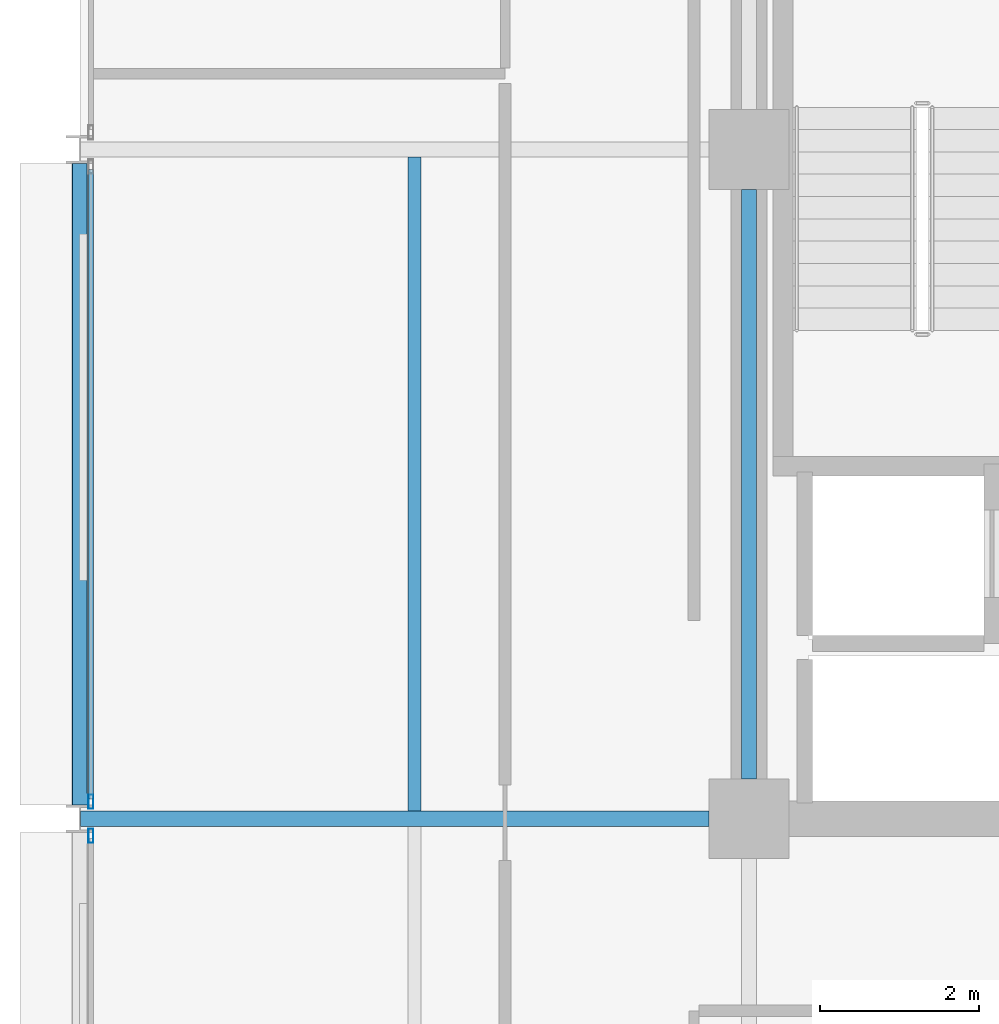
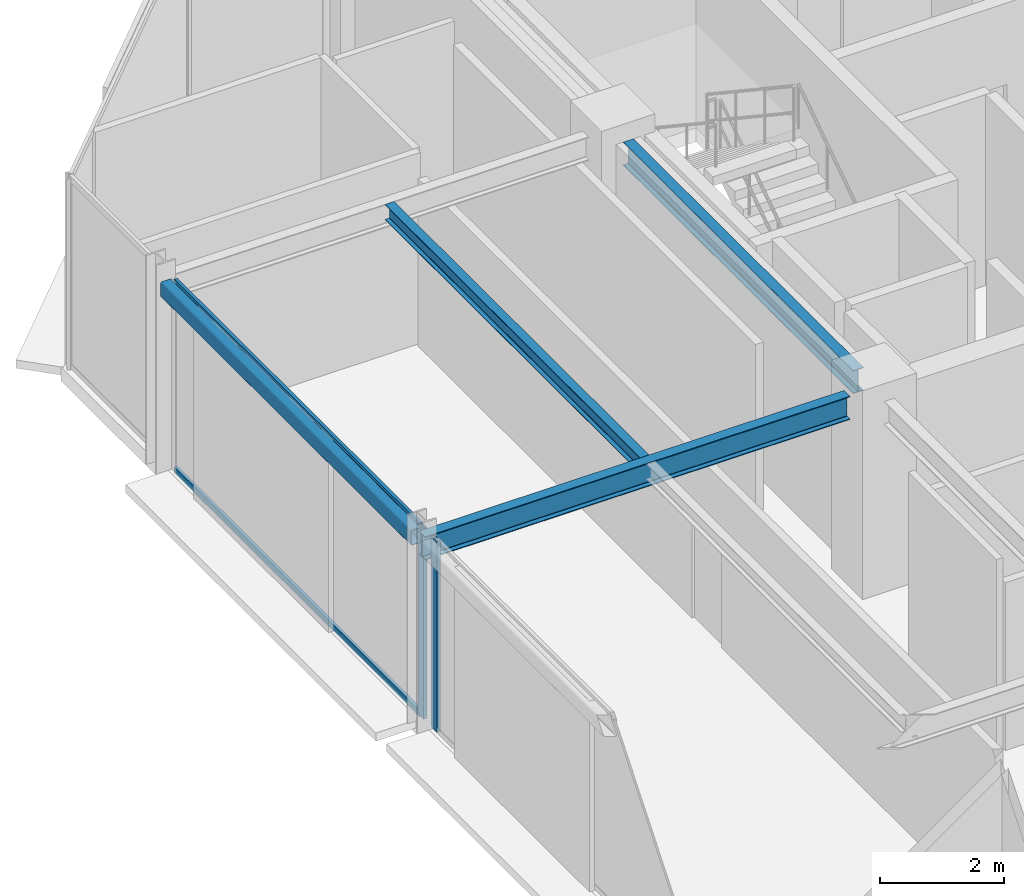
# One storey, part 10 of 26: 4 beams, 4 members, 2 elements without a shape of their own.
"""IFC4 building model written with IfcOpenShell, lengths in metres."""

from ifc_helpers import new_model, si_unit, direction, frame, origin, origin_2d, place, context, subcontext, project, spatial, hollow_rectangle, i_section, extrude, material, layer, layer_set, material_profile, profile_set, type_object, element, aggregate, save


model = new_model("IFC4")

# Units and contexts
model_context = context("Model", 3, precision=1e-05, world=origin(), true_north=direction((0.0, 1.0)))
body_context = subcontext(model_context, "Body", "Model", "MODEL_VIEW")
ifc_project = project(units=[si_unit("LENGTHUNIT", "METRE"), si_unit("AREAUNIT", "SQUARE_METRE"), si_unit("VOLUMEUNIT", "CUBIC_METRE"), si_unit("PLANEANGLEUNIT", "RADIAN"), si_unit("MASSUNIT", "GRAM", prefix="KILO")], contexts=[model_context])

# Site, building, storey
site_placement = place(None, origin())
site = spatial("IfcSite", under=ifc_project, at=site_placement, CompositionType="ELEMENT")
building_placement = place(site_placement, origin())
building = spatial("IfcBuilding", under=site, at=building_placement, Name="Nerrivon Quay Data Exchange", CompositionType="ELEMENT")
storey_placement = place(building_placement, frame((0.0, 0.0, 241.10009765625)))
storey = spatial("IfcBuildingStorey", under=building, at=storey_placement, Name="L57", CompositionType="ELEMENT", Elevation=241.10009765625)

# Beams
ifc_material_1 = material(Name="Steel Grade 350", Category="steel")
ifc_material_profile_1 = material_profile(ifc_material_1, i_section(OverallWidth=0.19091796875, OverallDepth=0.4599609375, WebThickness=0.010009765625, FlangeThickness=0.01611328125, FilletRadius=0.011474609375, at=origin_2d()), Name="460UB82.1")
ifc_profile_set_1 = profile_set([ifc_material_profile_1], Name="Steel Grade 350")
beam_type_1 = type_object("IfcBeamType", Name="BM-G5-460UB82", PredefinedType="BEAM", material=ifc_profile_set_1)
beam_1_placement = place(storey_placement, frame((0.010009765625, 25.199951171875, 3.52001953125), z_axis=(1.0, 0.0, 0.0), x_axis=(0.0, 1.0, 0.0)))
element("IfcBeam", 1, at=beam_1_placement, inside=storey, type_object=beam_type_1, Name="L57 EW Girder Y=25.2 (0.0..8.4)", PredefinedType="BEAM", context=body_context, shape_type="SweptSolid", body=[
    extrude(i_section(OverallWidth=0.19091796875, OverallDepth=0.4599609375, WebThickness=0.010009765625, FlangeThickness=0.01611328125, FilletRadius=0.011474609375, at=origin_2d()), origin(), (0.0, 0.0, 1.0), 7.889892578125),
])
ifc_material_profile_2 = material_profile(ifc_material_1, i_section(OverallWidth=0.18994140625, OverallDepth=0.4541015625, WebThickness=0.008544921875, FlangeThickness=0.0126953125, FilletRadius=0.011474609375, at=origin_2d()), Name="460UB67.1")
ifc_profile_set_2 = profile_set([ifc_material_profile_2], Name="Steel Grade 350")
beam_type_2 = type_object("IfcBeamType", Name="BM-G6-460UB67", PredefinedType="BEAM", material=ifc_profile_set_2)
beam_2_placement = place(storey_placement, frame((8.39990234375, 25.699951171875, 3.52294921875), z_axis=(0.0, 1.0, 0.0), x_axis=(-1.0, 0.0, 0.0)))
element("IfcBeam", 2, at=beam_2_placement, inside=storey, type_object=beam_type_2, Name="L57 NS Girder X=8.4 (25.2..33.6)", PredefinedType="BEAM", context=body_context, shape_type="SweptSolid", body=[
    extrude(i_section(OverallWidth=0.18994140625, OverallDepth=0.4541015625, WebThickness=0.008544921875, FlangeThickness=0.0126953125, FilletRadius=0.011474609375, at=origin_2d()), origin(), (0.0, 0.0, 1.0), 7.400146484375),
])
ifc_material_profile_3 = material_profile(ifc_material_1, i_section(OverallWidth=0.166015625, OverallDepth=0.306884765625, WebThickness=0.006591796875, FlangeThickness=0.01171875, FilletRadius=0.011474609375, at=origin_2d()), Name="310UB46.2")
ifc_profile_set_3 = profile_set([ifc_material_profile_3], Name="Steel Grade 350")
beam_type_3 = type_object("IfcBeamType", Name="BM-J5-310UB46", PredefinedType="JOIST", material=ifc_profile_set_3)
beam_3_placement = place(storey_placement, frame((4.199951171875, 25.29541015625, 3.596435546875), z_axis=(0.0, 1.0, 0.0), x_axis=(-1.0, 0.0, 0.0)))
element("IfcBeam", 3, at=beam_3_placement, inside=storey, type_object=beam_type_3, Name="L57 Secondary Joist X=4.2 (25.2..33.6)", PredefinedType="JOIST", context=body_context, shape_type="SweptSolid", body=[
    extrude(i_section(OverallWidth=0.166015625, OverallDepth=0.306884765625, WebThickness=0.006591796875, FlangeThickness=0.01171875, FilletRadius=0.011474609375, at=origin_2d()), origin(), (0.0, 0.0, 1.0), 8.208984375),
])
ifc_material_2 = material(Name="Steel Grade C350L0 (350 MPa)", Category="steel")
ifc_material_profile_4 = material_profile(ifc_material_2, hollow_rectangle(XDim=0.199951171875, YDim=0.300048828125, WallThickness=0.012451171875, InnerFilletRadius=0.018798828125, OuterFilletRadius=0.03125, at=origin_2d()), Name="300x200x12.5RHS")
ifc_profile_set_4 = profile_set([ifc_material_profile_4], Name="Steel Grade C350L0 (350 MPa)")
beam_type_4 = type_object("IfcBeamType", Name="BM-SP3-300x200RHS", PredefinedType="SPANDREL", material=ifc_profile_set_4)
beam_4_placement = place(storey_placement, frame((0.0, 25.375, 3.599853515625), z_axis=(0.0, 1.0, 0.0), x_axis=(-1.0, 0.0, 0.0)))
element("IfcBeam", 4, at=beam_4_placement, inside=storey, type_object=beam_type_4, Name="L57 NS Girder X=0.0 (25.2..33.6)", PredefinedType="SPANDREL", context=body_context, shape_type="SweptSolid", body=[
    extrude(hollow_rectangle(XDim=0.199951171875, YDim=0.300048828125, WallThickness=0.012451171875, InnerFilletRadius=0.018798828125, OuterFilletRadius=0.03125, at=origin_2d()), origin(), (0.0, 0.0, 1.0), 8.050048828125),
])

# Curtain wall, member
ifc_material_3 = material(Name="Anodised aluminium 6063-T6", Category="aluminium")
ifc_layer = layer(ifc_material_3, 0.195068359375)
ifc_layer_set = layer_set([ifc_layer], Name="Anodised aluminium 6063-T6")
curtain_wall_type = type_object("IfcCurtainWallType", Name="CW-SYS-06", PredefinedType="NOTDEFINED", material=ifc_layer_set)
curtain_wall_1_placement = place(storey_placement, origin())
curtain_wall_1 = element("IfcCurtainWall", 5, at=curtain_wall_1_placement, inside=storey, type_object=curtain_wall_type, Name="L57 Unitised Curtain Wall 13", PredefinedType="NOTDEFINED")
ifc_material_profile_5 = material_profile(ifc_material_3, hollow_rectangle(XDim=0.06494140625, YDim=0.179931640625, WallThickness=0.00341796875, at=origin_2d()), Name="ALU-MULL-180x65")
ifc_profile_set_5 = profile_set([ifc_material_profile_5], Name="Anodised aluminium 6063-T6")
member_type_1 = type_object("IfcMemberType", Name="CWM-180x65", PredefinedType="MULLION", material=ifc_profile_set_5)
member_1_placement = place(storey_placement, frame((0.139892578125, 24.987548828125, 0.0), z_axis=(0.0, 0.0, 1.0), x_axis=(-1.0, 0.0, 0.0)))
member_1 = element("IfcMember", 6, at=member_1_placement, type_object=member_type_1, Name="CW06 mullion 2", PredefinedType="MULLION", context=body_context, shape_type="SweptSolid", body=[
    extrude(hollow_rectangle(XDim=0.06494140625, YDim=0.179931640625, WallThickness=0.00341796875, at=origin_2d()), origin(), (0.0, 0.0, 1.0), 3.75),
])
aggregate(curtain_wall_1, [member_1])

# Curtain wall, members
curtain_wall_2_placement = place(storey_placement, origin())
curtain_wall_2 = element("IfcCurtainWall", 7, at=curtain_wall_2_placement, inside=storey, type_object=curtain_wall_type, Name="L57 Unitised Curtain Wall 14", PredefinedType="NOTDEFINED")
member_2_placement = place(storey_placement, frame((0.139892578125, 25.41259765625, 0.0), z_axis=(0.0, 0.0, 1.0), x_axis=(-1.0, 0.0, 0.0)))
member_2 = element("IfcMember", 8, at=member_2_placement, type_object=member_type_1, Name="CW06 mullion 1", PredefinedType="MULLION", context=body_context, shape_type="SweptSolid", body=[
    extrude(hollow_rectangle(XDim=0.06494140625, YDim=0.179931640625, WallThickness=0.00341796875, at=origin_2d()), origin(), (0.0, 0.0, 1.0), 3.75),
])
ifc_material_profile_6 = material_profile(ifc_material_3, hollow_rectangle(XDim=0.06005859375, YDim=0.1201171875, WallThickness=0.003173828125, at=origin_2d()), Name="ALU-TRAN-120x60")
ifc_profile_set_6 = profile_set([ifc_material_profile_6], Name="Anodised aluminium 6063-T6")
member_type_2 = type_object("IfcMemberType", Name="CWT-120x60", PredefinedType="USERDEFINED", material=ifc_profile_set_6)
member_3_placement = place(storey_placement, frame((0.139892578125, 25.449951171875, 0.032470703125), z_axis=(0.0, 1.0, 0.0), x_axis=(-1.0, 0.0, 0.0)))
member_3 = element("IfcMember", 9, at=member_3_placement, type_object=member_type_2, Name="CW06 transom 1.1", ObjectType="TRANSOM", PredefinedType="USERDEFINED", context=body_context, shape_type="SweptSolid", body=[
    extrude(hollow_rectangle(XDim=0.06005859375, YDim=0.1201171875, WallThickness=0.003173828125, at=origin_2d()), origin(), (0.0, 0.0, 1.0), 7.900146484375),
])
member_4_placement = place(storey_placement, frame((0.139892578125, 25.449951171875, 3.71728515625), z_axis=(0.0, 1.0, 0.0), x_axis=(-1.0, 0.0, 0.0)))
member_4 = element("IfcMember", 10, at=member_4_placement, type_object=member_type_2, Name="CW06 transom 1.2", ObjectType="TRANSOM", PredefinedType="USERDEFINED", context=body_context, shape_type="SweptSolid", body=[
    extrude(hollow_rectangle(XDim=0.06005859375, YDim=0.1201171875, WallThickness=0.003173828125, at=origin_2d()), origin(), (0.0, 0.0, 1.0), 7.900146484375),
])
aggregate(curtain_wall_2, [member_2, member_3, member_4])

save(model, "model.ifc")
